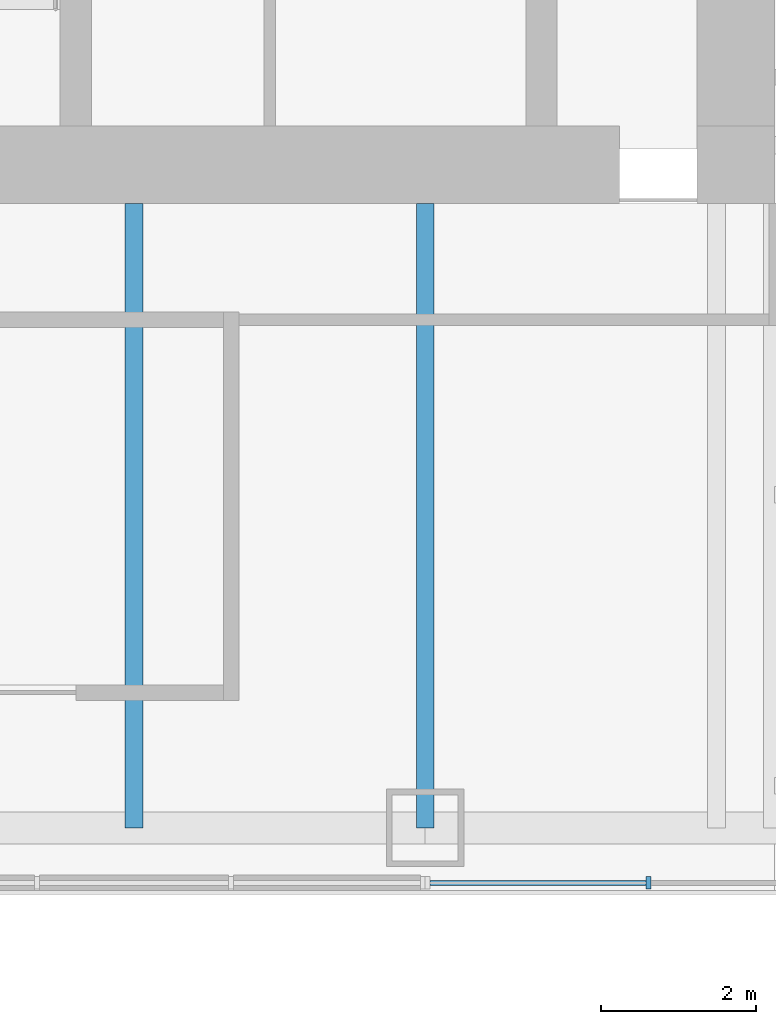
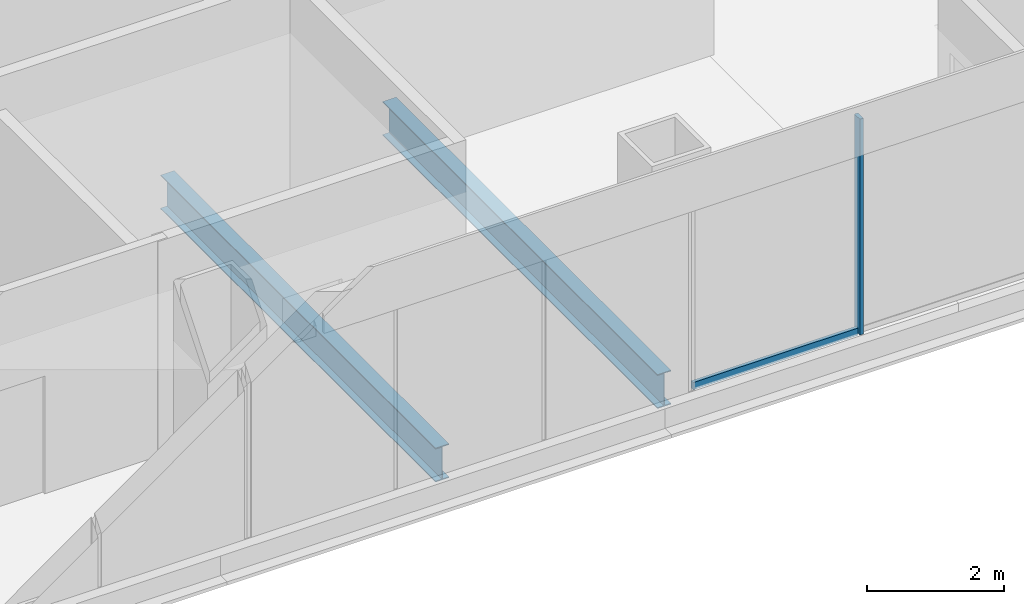
# One storey, part 3 of 14: 2 beams, 2 members, 1 element without a shape of its own.
"""IFC4 building model written with IfcOpenShell, lengths in metres."""

from ifc_helpers import new_model, si_unit, direction, frame, origin, origin_2d, place, context, subcontext, project, spatial, rectangle, i_section, extrude, material, material_profile, profile_set, type_object, element, aggregate, save


model = new_model("IFC4")

# Units and contexts
model_context = context("Model", 3, precision=1e-05, world=origin(), true_north=direction((0.0, 1.0)))
body_context = subcontext(model_context, "Body", "Model", "MODEL_VIEW")
ifc_project = project(units=[si_unit("LENGTHUNIT", "METRE"), si_unit("AREAUNIT", "SQUARE_METRE"), si_unit("VOLUMEUNIT", "CUBIC_METRE"), si_unit("PLANEANGLEUNIT", "RADIAN"), si_unit("MASSUNIT", "GRAM", prefix="KILO")], contexts=[model_context])

# Site, building, storey
site_placement = place(None, origin())
site = spatial("IfcSite", under=ifc_project, at=site_placement, CompositionType="ELEMENT")
building_placement = place(site_placement, origin())
building = spatial("IfcBuilding", under=site, at=building_placement, Name="Tarangal Relay Tower", CompositionType="ELEMENT")
storey_placement = place(building_placement, frame((0.0, 0.0, 311.89990234375)))
storey = spatial("IfcBuildingStorey", under=building, at=storey_placement, Name="L69", CompositionType="ELEMENT", Elevation=311.89990234375)

# Beams
ifc_material_1 = material(Name="Steel ASTM A992", Category="steel")
ifc_material_profile_1 = material_profile(ifc_material_1, i_section(OverallWidth=0.228271484375, OverallDepth=0.607177734375, WebThickness=0.01123046875, FlangeThickness=0.017333984375, at=origin_2d()), Name="W24X76")
ifc_profile_set_1 = profile_set([ifc_material_profile_1], Name="Steel ASTM A992")
beam_type = type_object("IfcBeamType", Name="Floor beam W24X76", PredefinedType="BEAM", material=ifc_profile_set_1)
for number, where, z_axis, x_axis, name in (
    (1, (7.5, -12.0, -0.453369140625), (0.0, -1.0, 0.0), (1.0, 0.0, 0.0), "Floor beam RB5 S L69"),
    (2, (3.75, -12.0, -0.453369140625), (0.0, -1.0, 0.0), (1.0, 0.0, 0.0), "Floor beam RB5 S L69"),
):
    element("IfcBeam", number, at=place(storey_placement, frame(where, z_axis=z_axis, x_axis=x_axis)), inside=storey, type_object=beam_type, Name=name, PredefinedType="BEAM", context=body_context, shape_type="SweptSolid", body=[
        extrude(i_section(OverallWidth=0.228271484375, OverallDepth=0.607177734375, WebThickness=0.01123046875, FlangeThickness=0.017333984375, at=origin_2d()), origin(), (0.0, 0.0, 1.0), 8.0400390625),
    ])

# Curtain wall, members
ifc_material_2 = material(Name="Unitised curtain wall, dark glass and black aluminium", Category="aluminium")
curtain_wall_type = type_object("IfcCurtainWallType", Name="Curtain wall CW-B", PredefinedType="USERDEFINED", material=ifc_material_2)
curtain_wall_placement = place(storey_placement, origin())
curtain_wall = element("IfcCurtainWall", 3, at=curtain_wall_placement, inside=storey, type_object=curtain_wall_type, Name="Curtain wall CW-B S facade L69", ObjectType="UNITISED CURTAIN WALL", PredefinedType="USERDEFINED")
ifc_material_3 = material(Name="Black anodised aluminium mullion", Category="aluminium")
ifc_material_profile_2 = material_profile(ifc_material_3, rectangle(XDim=0.159912109375, YDim=0.06005859375, at=origin_2d()), Name="CW-BM 60X160")
ifc_profile_set_2 = profile_set([ifc_material_profile_2], Name="Black anodised aluminium mullion")
member_type_1 = type_object("IfcMemberType", Name="Mullion CW-B 60 x 160", PredefinedType="MULLION", material=ifc_profile_set_2)
member_1_placement = place(storey_placement, frame((10.375, -20.75, 0.0), z_axis=(0.0, 0.0, 1.0), x_axis=(0.0, -1.0, 0.0)))
member_1 = element("IfcMember", 4, at=member_1_placement, type_object=member_type_1, Name="CW-B mullion 2", PredefinedType="MULLION", context=body_context, shape_type="SweptSolid", body=[
    extrude(rectangle(XDim=0.159912109375, YDim=0.06005859375, at=origin_2d()), origin(), (0.0, 0.0, 1.0), 3.85009765625),
])
ifc_material_4 = material(Name="Black anodised aluminium transom", Category="aluminium")
ifc_material_profile_3 = material_profile(ifc_material_4, rectangle(XDim=0.06005859375, YDim=0.1298828125, at=origin_2d()), Name="CW-BT 60X130")
ifc_profile_set_3 = profile_set([ifc_material_profile_3], Name="Black anodised aluminium transom")
member_type_2 = type_object("IfcMemberType", Name="Transom CW-B 60 x 130", PredefinedType="USERDEFINED", material=ifc_profile_set_3)
member_2_placement = place(storey_placement, frame((10.344970703125, -20.75, 0.030029296875), z_axis=(-1.0, 0.0, 0.0), x_axis=(0.0, -1.0, 0.0)))
member_2 = element("IfcMember", 5, at=member_2_placement, type_object=member_type_2, Name="CW-B transom 2.1", ObjectType="TRANSOM", PredefinedType="USERDEFINED", context=body_context, shape_type="SweptSolid", body=[
    extrude(rectangle(XDim=0.06005859375, YDim=0.1298828125, at=origin_2d()), origin(), (0.0, 0.0, 1.0), 2.784912109375),
])
aggregate(curtain_wall, [member_1, member_2])

save(model, "model.ifc")
